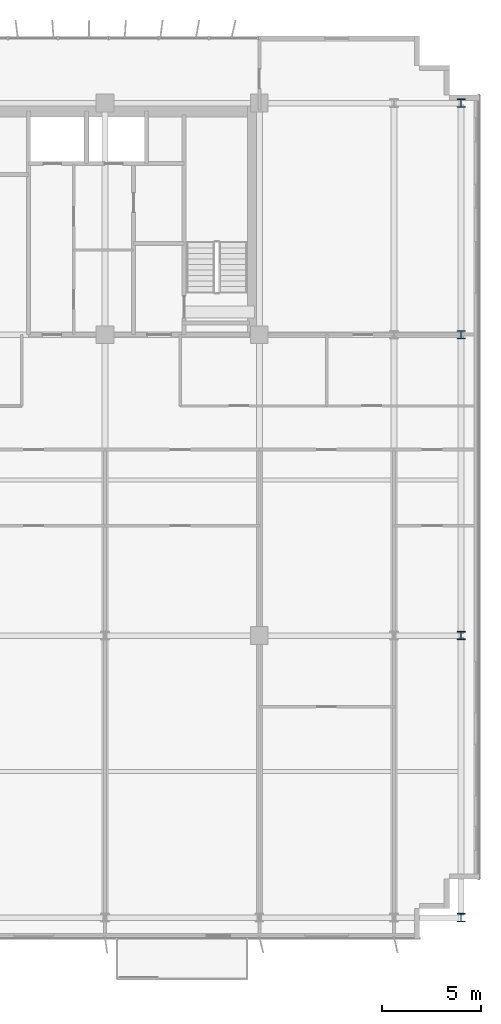
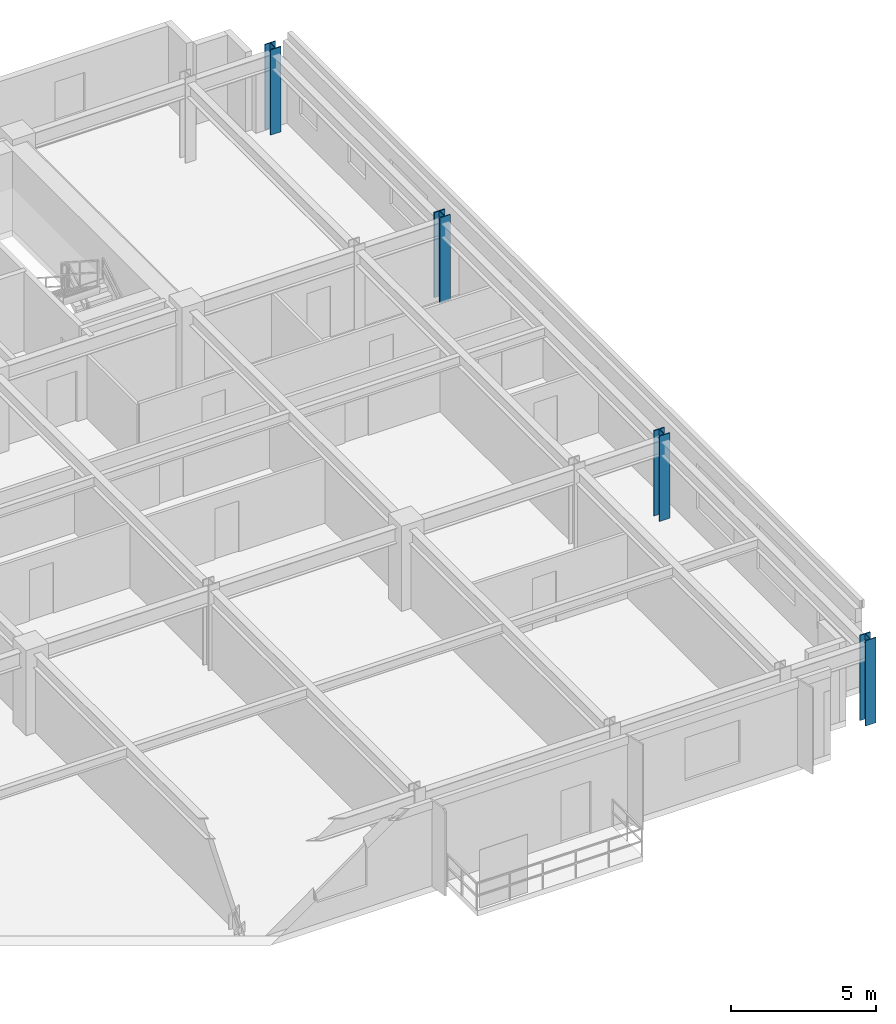
# One storey, part 3 of 21: 4 columns.
"""IFC4 building model written with IfcOpenShell, lengths in metres."""

from ifc_helpers import new_model, si_unit, direction, frame, origin, origin_2d, place, context, subcontext, project, spatial, i_section, extrude, source, transform, mapped, material, material_profile, profile_set, type_object, element, save


model = new_model("IFC4")

# Units and contexts
model_context = context("Model", 3, precision=1e-05, world=origin(), true_north=direction((0.0, 1.0)))
body_context = subcontext(model_context, "Body", "Model", "MODEL_VIEW")
ifc_project = project(units=[si_unit("LENGTHUNIT", "METRE"), si_unit("AREAUNIT", "SQUARE_METRE"), si_unit("VOLUMEUNIT", "CUBIC_METRE"), si_unit("PLANEANGLEUNIT", "RADIAN"), si_unit("MASSUNIT", "GRAM", prefix="KILO")], contexts=[model_context])

# Site, building, storey
site_placement = place(None, origin())
site = spatial("IfcSite", under=ifc_project, at=site_placement, CompositionType="ELEMENT")
building_placement = place(site_placement, origin())
building = spatial("IfcBuilding", under=site, at=building_placement, Name="Trelvane Seafront Commons", CompositionType="ELEMENT")
storey_placement = place(building_placement, frame((0.0, 0.0, 41.5)))
storey = spatial("IfcBuildingStorey", under=building, at=storey_placement, Name="L10", CompositionType="ELEMENT", Elevation=41.5)

# Columns
ifc_material = material(Name="Steel SM355 (S355)", Category="steel")
ifc_material_profile = material_profile(ifc_material, i_section(OverallWidth=0.419921875, OverallDepth=0.419921875, WebThickness=0.02587890625, FlangeThickness=0.0400390625, at=origin_2d()), Name="HD-420x420x26x40")
ifc_profile_set = profile_set([ifc_material_profile], Name="Steel SM355 (S355)")
column_type = type_object("IfcColumnType", Name="STR-COL-HD420", PredefinedType="COLUMN", material=ifc_profile_set)
shared_shape = source(origin(), body_context, "Body", "SweptSolid", [
    extrude(i_section(OverallWidth=0.419921875, OverallDepth=0.419921875, WebThickness=0.02587890625, FlangeThickness=0.0400390625, at=origin_2d()), origin(), (0.0, 0.0, 1.0), 3.60009765625),
])
for number, where, z_axis, x_axis, name in (
    (1, (69.0, 3.949951171875, 0.0), (0.0, 0.0, 1.0), (1.0, 0.0, 0.0), "L10 Column TC-S69.0"),
    (2, (69.0, 18.199951171875, 0.0), (0.0, 0.0, 1.0), (1.0, 0.0, 0.0), "L10 Column TC-M69.0"),
    (3, (69.0, 33.39990234375, 0.0), (0.0, 0.0, 1.0), (1.0, 0.0, 0.0), "L10 Column TC-CS69.0"),
    (4, (69.0, 45.10009765625, 0.0), (0.0, 0.0, 1.0), (1.0, 0.0, 0.0), "L10 Column TC-CN69.0"),
):
    element("IfcColumn", number, at=place(storey_placement, frame(where, z_axis=z_axis, x_axis=x_axis)), inside=storey, type_object=column_type, Name=name, PredefinedType="COLUMN", context=body_context, shape_type="MappedRepresentation", body=[
        mapped(shared_shape, transform((0.0, 0.0, 0.0), x_axis=(1.0, 0.0, 0.0), y_axis=(0.0, 1.0, 0.0), z_axis=(0.0, 0.0, 1.0), scale=1.0)),
    ])

save(model, "model.ifc")
